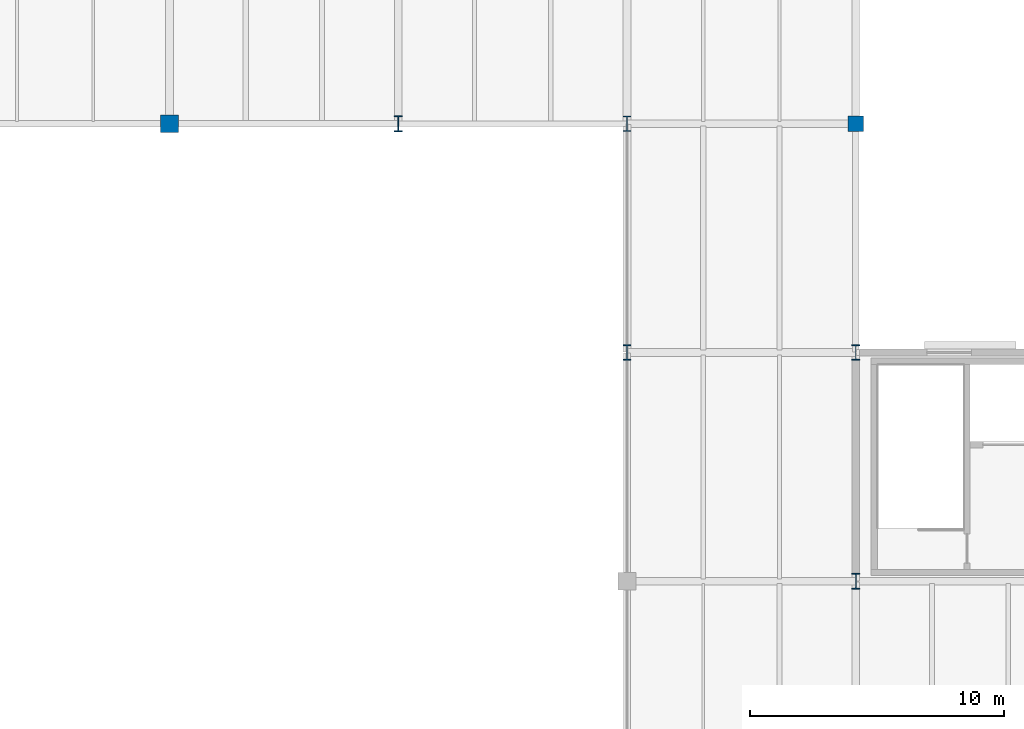
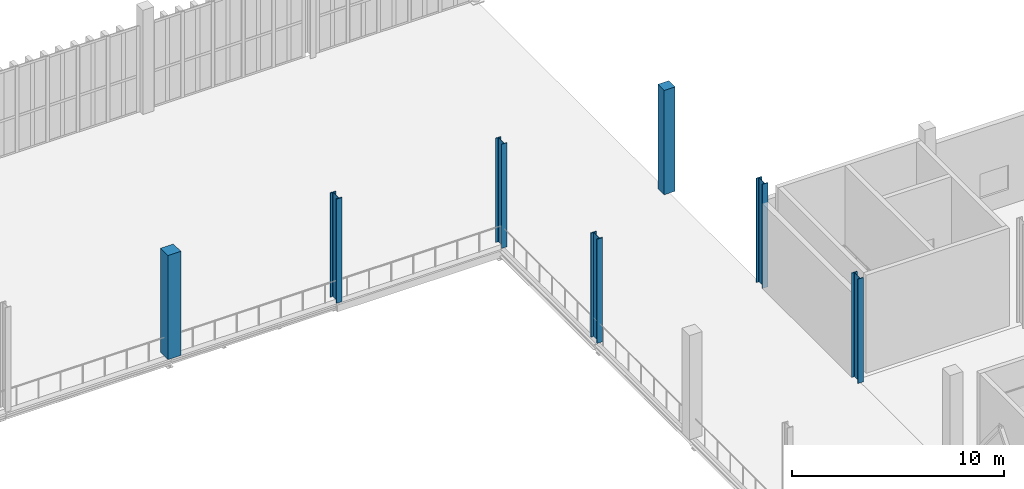
# One storey, part 12 of 211: 7 columns.
"""IFC4 building model written with IfcOpenShell, lengths in metres."""

from ifc_helpers import new_model, si_unit, direction, frame, origin, origin_2d, place, context, subcontext, project, spatial, rectangle, i_section, extrude, material, material_profile, profile_set, type_object, element, save


model = new_model("IFC4")

# Units and contexts
model_context = context("Model", 3, precision=1e-05, world=origin(), true_north=direction((0.0, 1.0)))
body_context = subcontext(model_context, "Body", "Model", "MODEL_VIEW")
ifc_project = project(units=[si_unit("LENGTHUNIT", "METRE"), si_unit("AREAUNIT", "SQUARE_METRE"), si_unit("VOLUMEUNIT", "CUBIC_METRE"), si_unit("PLANEANGLEUNIT", "RADIAN"), si_unit("MASSUNIT", "GRAM", prefix="KILO")], contexts=[model_context])

# Site, building, storey
site_placement = place(None, origin())
site = spatial("IfcSite", under=ifc_project, at=site_placement, CompositionType="ELEMENT")
building_placement = place(site_placement, origin())
building = spatial("IfcBuilding", under=site, at=building_placement, Name="Barlavento Convention Centre", CompositionType="ELEMENT")
storey_placement = place(building_placement, frame((0.0, 0.0, 6.0)))
storey = spatial("IfcBuildingStorey", under=building, at=storey_placement, Name="L01", CompositionType="ELEMENT", Elevation=6.0)

# Columns
ifc_material_1 = material(Name="Steel S355", Category="steel")
ifc_material_profile_1 = material_profile(ifc_material_1, i_section(OverallWidth=0.300048828125, OverallDepth=0.60009765625, WebThickness=0.015380859375, FlangeThickness=0.030029296875, FilletRadius=0.027099609375, at=origin_2d()), Name="HEB 600")
ifc_profile_set_1 = profile_set([ifc_material_profile_1], Name="Steel S355")
column_type_1 = type_object("IfcColumnType", Name="STR-COL-HEB600", PredefinedType="COLUMN", material=ifc_profile_set_1)
for number, where, z_axis, x_axis, name in (
    (1, (117.0, 117.0, 0.0), (0.0, 0.0, 1.0), (1.0, 0.0, 0.0), "L01 column SC08"),
    (2, (126.0, 108.0, 0.0), (0.0, 0.0, 1.0), (1.0, 0.0, 0.0), "L01 column SC08"),
):
    element("IfcColumn", number, at=place(storey_placement, frame(where, z_axis=z_axis, x_axis=x_axis)), inside=storey, type_object=column_type_1, Name=name, PredefinedType="COLUMN", context=body_context, shape_type="SweptSolid", body=[
        extrude(i_section(OverallWidth=0.300048828125, OverallDepth=0.60009765625, WebThickness=0.015380859375, FlangeThickness=0.030029296875, FilletRadius=0.027099609375, at=origin_2d()), origin(), (0.0, 0.0, 1.0), 6.0),
    ])
ifc_material_profile_2 = material_profile(ifc_material_1, i_section(OverallWidth=0.304931640625, OverallDepth=0.6201171875, WebThickness=0.02099609375, FlangeThickness=0.0400390625, FilletRadius=0.027099609375, at=origin_2d()), Name="HEM 600")
ifc_profile_set_2 = profile_set([ifc_material_profile_2], Name="Steel S355")
column_type_2 = type_object("IfcColumnType", Name="STR-COL-HEM600", PredefinedType="COLUMN", material=ifc_profile_set_2)
for number, where, z_axis, x_axis, name in (
    (3, (108.0, 117.0, 0.0), (0.0, 0.0, 1.0), (1.0, 0.0, 0.0), "L01 column SC05"),
    (4, (117.0, 108.0, 0.0), (0.0, 0.0, 1.0), (1.0, 0.0, 0.0), "L01 column SC05"),
    (5, (126.0, 99.0, 0.0), (0.0, 0.0, 1.0), (1.0, 0.0, 0.0), "L01 column SC05"),
):
    element("IfcColumn", number, at=place(storey_placement, frame(where, z_axis=z_axis, x_axis=x_axis)), inside=storey, type_object=column_type_2, Name=name, PredefinedType="COLUMN", context=body_context, shape_type="SweptSolid", body=[
        extrude(i_section(OverallWidth=0.304931640625, OverallDepth=0.6201171875, WebThickness=0.02099609375, FlangeThickness=0.0400390625, FilletRadius=0.027099609375, at=origin_2d()), origin(), (0.0, 0.0, 1.0), 6.0),
    ])
ifc_material_2 = material(Name="Concrete C40/50", Category="concrete")
ifc_material_profile_3 = material_profile(ifc_material_2, rectangle(XDim=0.60009765625, YDim=0.60009765625, at=origin_2d()), Name="RC 600x600")
ifc_profile_set_3 = profile_set([ifc_material_profile_3], Name="Concrete C40/50")
column_type_3 = type_object("IfcColumnType", Name="STR-COL-RC600", PredefinedType="COLUMN", material=ifc_profile_set_3)
column_1_placement = place(storey_placement, frame((126.0, 117.0, 0.0), z_axis=(0.0, 0.0, 1.0), x_axis=(1.0, 0.0, 0.0)))
element("IfcColumn", 6, at=column_1_placement, inside=storey, type_object=column_type_3, Name="L01 column CC07", PredefinedType="COLUMN", context=body_context, shape_type="SweptSolid", body=[
    extrude(rectangle(XDim=0.60009765625, YDim=0.60009765625, at=origin_2d()), origin(), (0.0, 0.0, 1.0), 6.0),
])
ifc_material_profile_4 = material_profile(ifc_material_2, rectangle(XDim=0.699951171875, YDim=0.699951171875, at=origin_2d()), Name="RC 700x700")
ifc_profile_set_4 = profile_set([ifc_material_profile_4], Name="Concrete C40/50")
column_type_4 = type_object("IfcColumnType", Name="STR-COL-RC700", PredefinedType="COLUMN", material=ifc_profile_set_4)
column_2_placement = place(storey_placement, frame((99.0, 117.0, 0.0), z_axis=(0.0, 0.0, 1.0), x_axis=(1.0, 0.0, 0.0)))
element("IfcColumn", 7, at=column_2_placement, inside=storey, type_object=column_type_4, Name="L01 column CC06", PredefinedType="COLUMN", context=body_context, shape_type="SweptSolid", body=[
    extrude(rectangle(XDim=0.699951171875, YDim=0.699951171875, at=origin_2d()), origin(), (0.0, 0.0, 1.0), 6.0),
])

save(model, "model.ifc")
